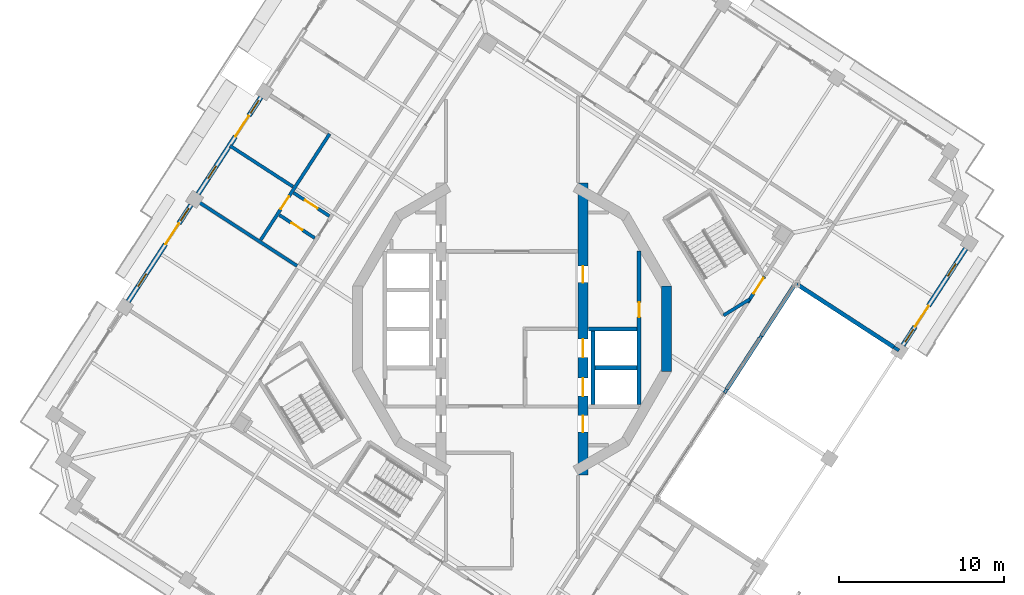
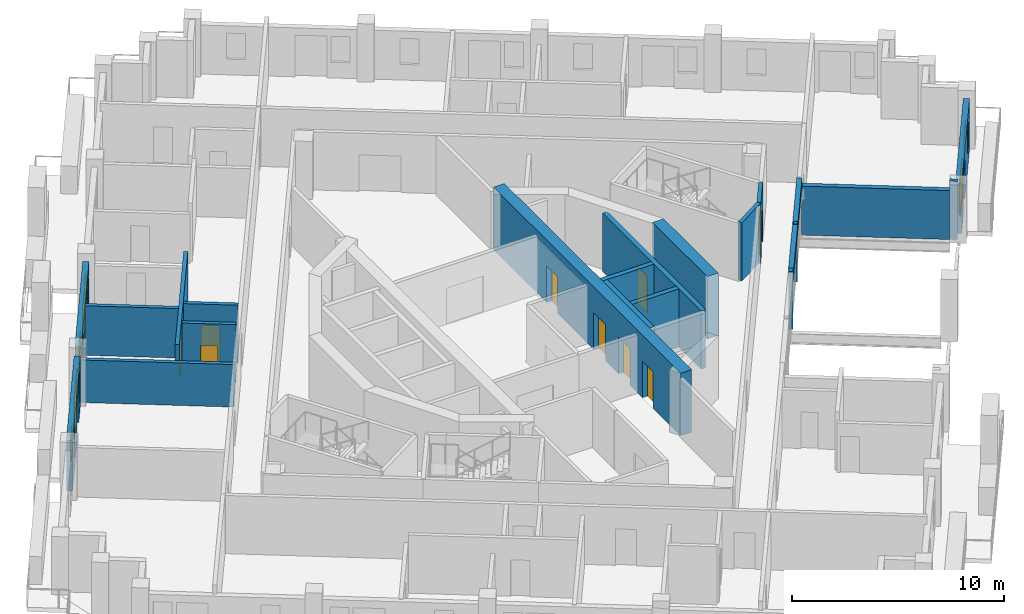
# One storey, part 8 of 17: 22 walls, 12 doors, 6 windows, 18 openings.
"""IFC4 building model written with IfcOpenShell, lengths in metres."""

from ifc_helpers import new_model, si_unit, direction, frame, frame_2d, origin, place, context, subcontext, project, spatial, rectangle, extrude, material, layer, layer_set, type_object, element, fill, save


model = new_model("IFC4")

# Units and contexts
model_context = context("Model", 3, precision=1e-05, world=origin(), true_north=direction((0.0, 1.0)))
body_context = subcontext(model_context, "Body", "Model", "MODEL_VIEW")
ifc_project = project(units=[si_unit("LENGTHUNIT", "METRE"), si_unit("AREAUNIT", "SQUARE_METRE"), si_unit("VOLUMEUNIT", "CUBIC_METRE"), si_unit("PLANEANGLEUNIT", "RADIAN"), si_unit("MASSUNIT", "GRAM", prefix="KILO")], contexts=[model_context])

# Site, building, storey
site_placement = place(None, origin())
site = spatial("IfcSite", under=ifc_project, at=site_placement, CompositionType="ELEMENT")
building_placement = place(site_placement, origin())
building = spatial("IfcBuilding", under=site, at=building_placement, Name="Cantera Rosa Tower", CompositionType="ELEMENT")
storey_placement = place(building_placement, frame((0.0, 0.0, 268.5)))
storey = spatial("IfcBuildingStorey", under=building, at=storey_placement, Name="L60", CompositionType="ELEMENT", Elevation=268.5)

# Walls
ifc_material_1 = material(Name="Gypsum board partition")
ifc_layer_1 = layer(ifc_material_1, 0.199951171875)
ifc_layer_set_1 = layer_set([ifc_layer_1], Name="CORRIDOR WALL 200 H3350")
wall_type_1 = type_object("IfcWallType", Name="CORRIDOR WALL 200 H3350", PredefinedType="PARTITIONING", material=ifc_layer_set_1)
wall_1_placement = place(storey_placement, frame((12.8642578125, -3.876220703125, 0.0), z_axis=(0.0, 0.0, 1.0), x_axis=(0.544605442853, 0.838692381994, 0.0)))
element("IfcWall", 1, at=wall_1_placement, inside=storey, type_object=wall_type_1, Name="CORRIDOR WALL L60-067", PredefinedType="PARTITIONING", context=body_context, shape_type="SweptSolid", body=[
    extrude(rectangle(XDim=0.26904296875, YDim=0.199951171875, at=frame_2d((0.134521484375, 0.0))), origin(), (0.0, 0.0, 1.0), 3.35009765625),
])
wall_2_placement = place(storey_placement, frame((15.00341796875, -0.582275390625, 0.0), z_axis=(0.0, 0.0, 1.0), x_axis=(0.544191105099, 0.838961287028, 0.0)))
element("IfcWall", 2, at=wall_2_placement, inside=storey, type_object=wall_type_1, Name="CORRIDOR WALL L60-068", PredefinedType="PARTITIONING", context=body_context, shape_type="SweptSolid", body=[
    extrude(rectangle(XDim=0.19384765625, YDim=0.199951171875, at=frame_2d((0.096923828125, 0.0))), origin(), (0.0, 0.0, 1.0), 3.35009765625),
])

# Wall, openings, windows, door
ifc_material_2 = material(Name="Hollow clay masonry with cantera stone cladding", Category="masonry")
ifc_layer_2 = layer(ifc_material_2, 0.300048828125)
ifc_layer_set_2 = layer_set([ifc_layer_2], Name="EW-LOGGIA 300 H2890")
wall_type_2 = type_object("IfcWallType", Name="EW-LOGGIA 300 H2890", PredefinedType="SOLIDWALL", material=ifc_layer_set_2)
wall_3_placement = place(storey_placement, frame((-15.2080078125, 14.03759765625, 0.0), z_axis=(0.0, 0.0, 1.0), x_axis=(-0.544651451949, -0.838662504164, 0.0)))
wall_3 = element("IfcWall", 3, at=wall_3_placement, inside=storey, type_object=wall_type_2, Name="EN-L60-W09", PredefinedType="SOLIDWALL", context=body_context, shape_type="SweptSolid", body=[
    extrude(rectangle(XDim=6.980224609375, YDim=0.300048828125, at=frame_2d((3.490234375, 0.0))), origin(), (0.0, 0.0, 1.0), 2.889892578125),
])
opening_1_placement = place(wall_3_placement, frame((0.2451171875, 0.0, 0.89990234375)))
opening_1 = element("IfcOpeningElement", 4, at=opening_1_placement, cuts=wall_3, Name="Opening L60-W19", PredefinedType="OPENING", context=body_context, shape_type="SweptSolid", body=[
    extrude(rectangle(XDim=0.89990234375, YDim=1.5, at=frame_2d((0.449951171875, 0.75))), frame((0.0, 0.159912109375, 0.0), z_axis=(0.0, -1.0, 0.0), x_axis=(1.0, 0.0, 0.0)), (0.0, 0.0, 1.0), 0.320068359375),
])
opening_2_placement = place(wall_3_placement, frame((1.344970703125, 0.0, 0.0)))
opening_2 = element("IfcOpeningElement", 5, at=opening_2_placement, cuts=wall_3, Name="Opening L60-TD20", PredefinedType="OPENING", context=body_context, shape_type="SweptSolid", body=[
    extrude(rectangle(XDim=1.5, YDim=2.39990234375, at=frame_2d((0.75, 1.199951171875))), frame((0.0, 0.159912109375, 0.0), z_axis=(0.0, -1.0, 0.0), x_axis=(1.0, 0.0, 0.0)), (0.0, 0.0, 1.0), 0.320068359375),
])
opening_3_placement = place(wall_3_placement, frame((4.985107421875, 0.0, 0.89990234375)))
opening_3 = element("IfcOpeningElement", 6, at=opening_3_placement, cuts=wall_3, Name="Opening L60-W21", PredefinedType="OPENING", context=body_context, shape_type="SweptSolid", body=[
    extrude(rectangle(XDim=0.89990234375, YDim=1.5, at=frame_2d((0.449951171875, 0.75))), frame((0.0, 0.159912109375, 0.0), z_axis=(0.0, -1.0, 0.0), x_axis=(1.0, 0.0, 0.0)), (0.0, 0.0, 1.0), 0.320068359375),
])
ifc_material_3 = material(Name="Aluminium frame with clear glass", Category="aluminium")
window_type = type_object("IfcWindowType", Name="Residential window 900x1500", PartitioningType="SINGLE_PANEL", PredefinedType="WINDOW", material=ifc_material_3)
window_1_placement = place(opening_1_placement, origin())
window_1 = element("IfcWindow", 7, at=window_1_placement, inside=storey, type_object=window_type, Name="WINDOW L60-W19", OverallHeight=1.5, OverallWidth=0.89990234375, PartitioningType="SINGLE_PANEL", PredefinedType="WINDOW", context=body_context, shape_type="SweptSolid", body=[
    extrude(rectangle(XDim=0.89990234375, YDim=1.5, at=frame_2d((0.449951171875, 0.75))), frame((0.0, 0.030029296875, 0.0), z_axis=(0.0, -1.0, 0.0), x_axis=(1.0, 0.0, 0.0)), (0.0, 0.0, 1.0), 0.06005859375),
])
fill(opening_1, window_1)
window_2_placement = place(opening_3_placement, origin())
window_2 = element("IfcWindow", 8, at=window_2_placement, inside=storey, type_object=window_type, Name="WINDOW L60-W21", OverallHeight=1.5, OverallWidth=0.89990234375, PartitioningType="SINGLE_PANEL", PredefinedType="WINDOW", context=body_context, shape_type="SweptSolid", body=[
    extrude(rectangle(XDim=0.89990234375, YDim=1.5, at=frame_2d((0.449951171875, 0.75))), frame((0.0, 0.030029296875, 0.0), z_axis=(0.0, -1.0, 0.0), x_axis=(1.0, 0.0, 0.0)), (0.0, 0.0, 1.0), 0.06005859375),
])
fill(opening_3, window_2)
ifc_material_4 = material(Name="Aluminium frame with clear glass", Category="aluminium")
door_type_1 = type_object("IfcDoorType", Name="TD-R 1500x2400", OperationType="NOTDEFINED", PredefinedType="DOOR", material=ifc_material_4)
door_1_placement = place(opening_2_placement, origin())
door_1 = element("IfcDoor", 9, at=door_1_placement, inside=storey, type_object=door_type_1, Name="LOGGIA DOOR L60-TD20", OperationType="SLIDING_TO_LEFT", OverallHeight=2.39990234375, OverallWidth=1.5, PredefinedType="DOOR", context=body_context, shape_type="SweptSolid", body=[
    extrude(rectangle(XDim=1.5, YDim=2.39990234375, at=frame_2d((0.75, 1.199951171875))), frame((0.0, 0.02490234375, 0.0), z_axis=(0.0, -1.0, 0.0), x_axis=(1.0, 0.0, 0.0)), (0.0, 0.0, 1.0), 0.050048828125),
])
fill(opening_2, door_1)

wall_4_placement = place(storey_placement, frame((-19.4453125, 7.5126953125, 0.0), z_axis=(0.0, 0.0, 1.0), x_axis=(-0.544667428764, -0.838652128146, 0.0)))
wall_4 = element("IfcWall", 10, at=wall_4_placement, inside=storey, type_object=wall_type_2, Name="EN-L60-W10", PredefinedType="SOLIDWALL", context=body_context, shape_type="SweptSolid", body=[
    extrude(rectangle(XDim=6.97998046875, YDim=0.300048828125, at=frame_2d((3.489990234375, 0.0))), origin(), (0.0, 0.0, 1.0), 2.889892578125),
])
opening_4_placement = place(wall_4_placement, frame((0.2451171875, 0.0, 0.89990234375)))
opening_4 = element("IfcOpeningElement", 11, at=opening_4_placement, cuts=wall_4, Name="Opening L60-W22", PredefinedType="OPENING", context=body_context, shape_type="SweptSolid", body=[
    extrude(rectangle(XDim=0.89990234375, YDim=1.5, at=frame_2d((0.449951171875, 0.75))), frame((0.0, 0.159912109375, 0.0), z_axis=(0.0, -1.0, 0.0), x_axis=(1.0, 0.0, 0.0)), (0.0, 0.0, 1.0), 0.320068359375),
])
opening_5_placement = place(wall_4_placement, frame((1.344970703125, 0.0, 0.0)))
opening_5 = element("IfcOpeningElement", 12, at=opening_5_placement, cuts=wall_4, Name="Opening L60-TD23", PredefinedType="OPENING", context=body_context, shape_type="SweptSolid", body=[
    extrude(rectangle(XDim=1.5, YDim=2.39990234375, at=frame_2d((0.75, 1.199951171875))), frame((0.0, 0.159912109375, 0.0), z_axis=(0.0, -1.0, 0.0), x_axis=(1.0, 0.0, 0.0)), (0.0, 0.0, 1.0), 0.320068359375),
])
opening_6_placement = place(wall_4_placement, frame((4.985107421875, 0.0, 0.89990234375)))
opening_6 = element("IfcOpeningElement", 13, at=opening_6_placement, cuts=wall_4, Name="Opening L60-W24", PredefinedType="OPENING", context=body_context, shape_type="SweptSolid", body=[
    extrude(rectangle(XDim=0.89990234375, YDim=1.5, at=frame_2d((0.449951171875, 0.75))), frame((0.0, 0.159912109375, 0.0), z_axis=(0.0, -1.0, 0.0), x_axis=(1.0, 0.0, 0.0)), (0.0, 0.0, 1.0), 0.320068359375),
])
window_3_placement = place(opening_4_placement, origin())
window_3 = element("IfcWindow", 14, at=window_3_placement, inside=storey, type_object=window_type, Name="WINDOW L60-W22", OverallHeight=1.5, OverallWidth=0.89990234375, PartitioningType="SINGLE_PANEL", PredefinedType="WINDOW", context=body_context, shape_type="SweptSolid", body=[
    extrude(rectangle(XDim=0.89990234375, YDim=1.5, at=frame_2d((0.449951171875, 0.75))), frame((0.0, 0.030029296875, 0.0), z_axis=(0.0, -1.0, 0.0), x_axis=(1.0, 0.0, 0.0)), (0.0, 0.0, 1.0), 0.06005859375),
])
fill(opening_4, window_3)
window_4_placement = place(opening_6_placement, origin())
window_4 = element("IfcWindow", 15, at=window_4_placement, inside=storey, type_object=window_type, Name="WINDOW L60-W24", OverallHeight=1.5, OverallWidth=0.89990234375, PartitioningType="SINGLE_PANEL", PredefinedType="WINDOW", context=body_context, shape_type="SweptSolid", body=[
    extrude(rectangle(XDim=0.89990234375, YDim=1.5, at=frame_2d((0.449951171875, 0.75))), frame((0.0, 0.030029296875, 0.0), z_axis=(0.0, -1.0, 0.0), x_axis=(1.0, 0.0, 0.0)), (0.0, 0.0, 1.0), 0.06005859375),
])
fill(opening_6, window_4)
door_2_placement = place(opening_5_placement, origin())
door_2 = element("IfcDoor", 16, at=door_2_placement, inside=storey, type_object=door_type_1, Name="LOGGIA DOOR L60-TD23", OperationType="SLIDING_TO_LEFT", OverallHeight=2.39990234375, OverallWidth=1.5, PredefinedType="DOOR", context=body_context, shape_type="SweptSolid", body=[
    extrude(rectangle(XDim=1.5, YDim=2.39990234375, at=frame_2d((0.75, 1.199951171875))), frame((0.0, 0.02490234375, 0.0), z_axis=(0.0, -1.0, 0.0), x_axis=(1.0, 0.0, 0.0)), (0.0, 0.0, 1.0), 0.050048828125),
])
fill(opening_5, door_2)

wall_5_placement = place(storey_placement, frame((23.6826171875, -0.98779296875, 0.0), z_axis=(0.0, 0.0, 1.0), x_axis=(0.544667428764, 0.838652128146, 0.0)))
wall_5 = element("IfcWall", 17, at=wall_5_placement, inside=storey, type_object=wall_type_2, Name="EN-L60-W24", PredefinedType="SOLIDWALL", context=body_context, shape_type="SweptSolid", body=[
    extrude(rectangle(XDim=6.97998046875, YDim=0.300048828125, at=frame_2d((3.489990234375, 0.0))), origin(), (0.0, 0.0, 1.0), 2.889892578125),
])
opening_7_placement = place(wall_5_placement, frame((0.2451171875, 0.0, 0.89990234375)))
opening_7 = element("IfcOpeningElement", 18, at=opening_7_placement, cuts=wall_5, Name="Opening L60-W46", PredefinedType="OPENING", context=body_context, shape_type="SweptSolid", body=[
    extrude(rectangle(XDim=0.89990234375, YDim=1.5, at=frame_2d((0.449951171875, 0.75))), frame((0.0, 0.159912109375, 0.0), z_axis=(0.0, -1.0, 0.0), x_axis=(1.0, 0.0, 0.0)), (0.0, 0.0, 1.0), 0.320068359375),
])
opening_8_placement = place(wall_5_placement, frame((1.344970703125, 0.0, 0.0)))
opening_8 = element("IfcOpeningElement", 19, at=opening_8_placement, cuts=wall_5, Name="Opening L60-TD47", PredefinedType="OPENING", context=body_context, shape_type="SweptSolid", body=[
    extrude(rectangle(XDim=1.5, YDim=2.39990234375, at=frame_2d((0.75, 1.199951171875))), frame((0.0, 0.159912109375, 0.0), z_axis=(0.0, -1.0, 0.0), x_axis=(1.0, 0.0, 0.0)), (0.0, 0.0, 1.0), 0.320068359375),
])
opening_9_placement = place(wall_5_placement, frame((4.985107421875, 0.0, 0.89990234375)))
opening_9 = element("IfcOpeningElement", 20, at=opening_9_placement, cuts=wall_5, Name="Opening L60-W48", PredefinedType="OPENING", context=body_context, shape_type="SweptSolid", body=[
    extrude(rectangle(XDim=0.89990234375, YDim=1.5, at=frame_2d((0.449951171875, 0.75))), frame((0.0, 0.159912109375, 0.0), z_axis=(0.0, -1.0, 0.0), x_axis=(1.0, 0.0, 0.0)), (0.0, 0.0, 1.0), 0.320068359375),
])
window_5_placement = place(opening_7_placement, origin())
window_5 = element("IfcWindow", 21, at=window_5_placement, inside=storey, type_object=window_type, Name="WINDOW L60-W46", OverallHeight=1.5, OverallWidth=0.89990234375, PartitioningType="SINGLE_PANEL", PredefinedType="WINDOW", context=body_context, shape_type="SweptSolid", body=[
    extrude(rectangle(XDim=0.89990234375, YDim=1.5, at=frame_2d((0.449951171875, 0.75))), frame((0.0, 0.030029296875, 0.0), z_axis=(0.0, -1.0, 0.0), x_axis=(1.0, 0.0, 0.0)), (0.0, 0.0, 1.0), 0.06005859375),
])
fill(opening_7, window_5)
window_6_placement = place(opening_9_placement, origin())
window_6 = element("IfcWindow", 22, at=window_6_placement, inside=storey, type_object=window_type, Name="WINDOW L60-W48", OverallHeight=1.5, OverallWidth=0.89990234375, PartitioningType="SINGLE_PANEL", PredefinedType="WINDOW", context=body_context, shape_type="SweptSolid", body=[
    extrude(rectangle(XDim=0.89990234375, YDim=1.5, at=frame_2d((0.449951171875, 0.75))), frame((0.0, 0.030029296875, 0.0), z_axis=(0.0, -1.0, 0.0), x_axis=(1.0, 0.0, 0.0)), (0.0, 0.0, 1.0), 0.06005859375),
])
fill(opening_9, window_6)
door_3_placement = place(opening_8_placement, origin())
door_3 = element("IfcDoor", 23, at=door_3_placement, inside=storey, type_object=door_type_1, Name="LOGGIA DOOR L60-TD47", OperationType="SLIDING_TO_LEFT", OverallHeight=2.39990234375, OverallWidth=1.5, PredefinedType="DOOR", context=body_context, shape_type="SweptSolid", body=[
    extrude(rectangle(XDim=1.5, YDim=2.39990234375, at=frame_2d((0.75, 1.199951171875))), frame((0.0, 0.02490234375, 0.0), z_axis=(0.0, -1.0, 0.0), x_axis=(1.0, 0.0, 0.0)), (0.0, 0.0, 1.0), 0.050048828125),
])
fill(opening_8, door_3)

# Walls
ifc_material_5 = material(Name="Concrete C40/50", Category="concrete")
ifc_layer_3 = layer(ifc_material_5, 0.25)
ifc_layer_set_3 = layer_set([ifc_layer_3], Name="EW-POCKET CHEEK 250 H2820")
wall_type_3 = type_object("IfcWallType", Name="EW-POCKET CHEEK 250 H2820", PredefinedType="SOLIDWALL", material=ifc_layer_set_3)
wall_6_placement = place(storey_placement, frame((23.12939453125, -1.10546875, 0.0), z_axis=(0.0, 0.0, 1.0), x_axis=(-0.838675417097, 0.544631567904, 0.0)))
element("IfcWall", 24, at=wall_6_placement, inside=storey, type_object=wall_type_3, Name="POCKET CHEEK B L60", PredefinedType="SOLIDWALL", context=body_context, shape_type="SweptSolid", body=[
    extrude(rectangle(XDim=7.000244140625, YDim=0.25, at=frame_2d((3.5, 0.0))), origin(), (0.0, 0.0, 1.0), 2.820068359375),
])
ifc_material_6 = material(Name="Hollow clay masonry with cantera stone cladding", Category="masonry")
ifc_layer_4 = layer(ifc_material_6, 0.25)
ifc_layer_set_4 = layer_set([ifc_layer_4], Name="EW-POCKET REAR 250")
wall_type_4 = type_object("IfcWallType", Name="EW-POCKET REAR 250", PredefinedType="SOLIDWALL", material=ifc_layer_set_4)
wall_7_placement = place(storey_placement, frame((13.0107421875, -3.650634765625, 2.657958984375), z_axis=(0.0, 0.0, 1.0), x_axis=(0.544650551538, 0.838663088916, 0.0)))
element("IfcWall", 25, at=wall_7_placement, inside=storey, type_object=wall_type_4, Name="POCKET SPANDREL L60-3", PredefinedType="SOLIDWALL", context=body_context, shape_type="SweptSolid", body=[
    extrude(rectangle(XDim=3.65869140625, YDim=0.25, at=frame_2d((1.829345703125, 0.0))), origin(), (0.0, 0.0, 1.0), 0.64208984375),
])
wall_8_placement = place(storey_placement, frame((15.10888671875, -0.419677734375, 2.657958984375), z_axis=(0.0, 0.0, 1.0), x_axis=(0.544660772807, 0.838656450858, 0.0)))
element("IfcWall", 26, at=wall_8_placement, inside=storey, type_object=wall_type_4, Name="POCKET SPANDREL L60-4", PredefinedType="SOLIDWALL", context=body_context, shape_type="SweptSolid", body=[
    extrude(rectangle(XDim=3.66796875, YDim=0.25, at=frame_2d((1.833984375, 0.0))), origin(), (0.0, 0.0, 1.0), 0.64208984375),
])
ifc_material_7 = material(Name="Gypsum board partition")
ifc_layer_5 = layer(ifc_material_7, 0.199951171875)
ifc_layer_set_5 = layer_set([ifc_layer_5], Name="PARTITION 200 H2850")
wall_type_5 = type_object("IfcWallType", Name="PARTITION 200 H2850", PredefinedType="PARTITIONING", material=ifc_layer_set_5)
wall_9_placement = place(storey_placement, frame((-17.083740234375, 11.09423828125, 0.0), z_axis=(0.0, 0.0, 1.0), x_axis=(0.8386764669, -0.544629951314, 0.0)))
element("IfcWall", 27, at=wall_9_placement, inside=storey, type_object=wall_type_5, Name="PARTITION L60-004", PredefinedType="PARTITIONING", context=body_context, shape_type="SweptSolid", body=[
    extrude(rectangle(XDim=4.550048828125, YDim=0.199951171875, at=frame_2d((2.27490234375, 0.0))), origin(), (0.0, 0.0, 1.0), 2.85009765625),
])

# Wall, opening, door
ifc_material_8 = material(Name="Gypsum board partition")
ifc_layer_6 = layer(ifc_material_8, 0.199951171875)
ifc_layer_set_6 = layer_set([ifc_layer_6], Name="PARTITION 200 H3350")
wall_type_6 = type_object("IfcWallType", Name="PARTITION 200 H3350", PredefinedType="PARTITIONING", material=ifc_layer_set_6)
wall_10_placement = place(storey_placement, frame((-15.220458984375, 5.388916015625, 0.0), z_axis=(0.0, 0.0, 1.0), x_axis=(0.544627570383, 0.838678013053, 0.0)))
wall_10 = element("IfcWall", 28, at=wall_10_placement, inside=storey, type_object=wall_type_6, Name="PARTITION L60-011", PredefinedType="PARTITIONING", context=body_context, shape_type="SweptSolid", body=[
    extrude(rectangle(XDim=7.66015625, YDim=0.199951171875, at=frame_2d((3.830078125, 0.0))), origin(), (0.0, 0.0, 1.0), 3.35009765625),
])
opening_10_placement = place(wall_10_placement, frame((2.22998046875, 0.0, 0.0)))
opening_10 = element("IfcOpeningElement", 29, at=opening_10_placement, cuts=wall_10, Name="Opening L60-028", PredefinedType="OPENING", context=body_context, shape_type="SweptSolid", body=[
    extrude(rectangle(XDim=0.89990234375, YDim=2.10009765625, at=frame_2d((0.449951171875, 1.050048828125))), frame((0.0, 0.10986328125, 0.0), z_axis=(0.0, -1.0, 0.0), x_axis=(1.0, 0.0, 0.0)), (0.0, 0.0, 1.0), 0.219970703125),
])
ifc_material_9 = material(Name="Timber door leaf", Category="wood")
door_type_2 = type_object("IfcDoorType", Name="ROOM DOOR 900x2100", OperationType="NOTDEFINED", PredefinedType="DOOR", material=ifc_material_9)
door_4_placement = place(opening_10_placement, origin())
door_4 = element("IfcDoor", 30, at=door_4_placement, inside=storey, type_object=door_type_2, Name="DOOR L60-028", OperationType="NOTDEFINED", OverallHeight=2.10009765625, OverallWidth=0.89990234375, PredefinedType="DOOR", context=body_context, shape_type="SweptSolid", body=[
    extrude(rectangle(XDim=0.89990234375, YDim=2.10009765625, at=frame_2d((0.449951171875, 1.050048828125))), frame((0.0, 0.02490234375, 0.0), z_axis=(0.0, -1.0, 0.0), x_axis=(1.0, 0.0, 0.0)), (0.0, 0.0, 1.0), 0.050048828125),
])
fill(opening_10, door_4)

wall_11_placement = place(storey_placement, frame((-14.095947265625, 6.900390625, 0.0), z_axis=(0.0, 0.0, 1.0), x_axis=(0.838665792468, -0.544646388536, 0.0)))
wall_11 = element("IfcWall", 31, at=wall_11_placement, inside=storey, type_object=wall_type_6, Name="PARTITION L60-014", PredefinedType="PARTITIONING", context=body_context, shape_type="SweptSolid", body=[
    extrude(rectangle(XDim=2.56005859375, YDim=0.199951171875, at=frame_2d((1.280029296875, 0.0))), origin(), (0.0, 0.0, 1.0), 3.35009765625),
])
opening_11_placement = place(wall_11_placement, frame((0.8798828125, 0.0, 0.0)))
opening_11 = element("IfcOpeningElement", 32, at=opening_11_placement, cuts=wall_11, Name="Opening L60-026", PredefinedType="OPENING", context=body_context, shape_type="SweptSolid", body=[
    extrude(rectangle(XDim=0.800048828125, YDim=2.10009765625, at=frame_2d((0.39990234375, 1.050048828125))), frame((0.0, 0.10986328125, 0.0), z_axis=(0.0, -1.0, 0.0), x_axis=(1.0, 0.0, 0.0)), (0.0, 0.0, 1.0), 0.219970703125),
])
ifc_material_10 = material(Name="Timber door leaf", Category="wood")
door_type_3 = type_object("IfcDoorType", Name="BATHROOM DOOR 800x2100", OperationType="NOTDEFINED", PredefinedType="DOOR", material=ifc_material_10)
door_5_placement = place(opening_11_placement, origin())
door_5 = element("IfcDoor", 33, at=door_5_placement, inside=storey, type_object=door_type_3, Name="DOOR L60-026", OperationType="NOTDEFINED", OverallHeight=2.10009765625, OverallWidth=0.800048828125, PredefinedType="DOOR", context=body_context, shape_type="SweptSolid", body=[
    extrude(rectangle(XDim=0.800048828125, YDim=2.10009765625, at=frame_2d((0.39990234375, 1.050048828125))), frame((0.0, 0.02490234375, 0.0), z_axis=(0.0, -1.0, 0.0), x_axis=(1.0, 0.0, 0.0)), (0.0, 0.0, 1.0), 0.050048828125),
])
fill(opening_11, door_5)

wall_12_placement = place(storey_placement, frame((-13.224365234375, 8.2421875, 0.0), z_axis=(0.0, 0.0, 1.0), x_axis=(0.838672733248, -0.544635700727, 0.0)))
wall_12 = element("IfcWall", 34, at=wall_12_placement, inside=storey, type_object=wall_type_6, Name="PARTITION L60-016", PredefinedType="PARTITIONING", context=body_context, shape_type="SweptSolid", body=[
    extrude(rectangle(XDim=2.579833984375, YDim=0.199951171875, at=frame_2d((1.2900390625, 0.0))), origin(), (0.0, 0.0, 1.0), 3.35009765625),
])
opening_12_placement = place(wall_12_placement, frame((0.830078125, 0.0, 0.0)))
opening_12 = element("IfcOpeningElement", 35, at=opening_12_placement, cuts=wall_12, Name="Opening L60-027", PredefinedType="OPENING", context=body_context, shape_type="SweptSolid", body=[
    extrude(rectangle(XDim=0.89990234375, YDim=2.10009765625, at=frame_2d((0.449951171875, 1.050048828125))), frame((0.0, 0.10986328125, 0.0), z_axis=(0.0, -1.0, 0.0), x_axis=(1.0, 0.0, 0.0)), (0.0, 0.0, 1.0), 0.219970703125),
])
door_6_placement = place(opening_12_placement, origin())
door_6 = element("IfcDoor", 36, at=door_6_placement, inside=storey, type_object=door_type_2, Name="DOOR L60-027", OperationType="NOTDEFINED", OverallHeight=2.10009765625, OverallWidth=0.89990234375, PredefinedType="DOOR", context=body_context, shape_type="SweptSolid", body=[
    extrude(rectangle(XDim=0.89990234375, YDim=2.10009765625, at=frame_2d((0.449951171875, 1.050048828125))), frame((0.0, 0.02490234375, 0.0), z_axis=(0.0, -1.0, 0.0), x_axis=(1.0, 0.0, 0.0)), (0.0, 0.0, 1.0), 0.050048828125),
])
fill(opening_12, door_6)

# Walls
wall_13_placement = place(storey_placement, frame((23.439697265625, -1.306884765625, 0.0), z_axis=(0.0, 0.0, 1.0), x_axis=(-0.838790236691, 0.544454716971, 0.0)))
element("IfcWall", 37, at=wall_13_placement, inside=storey, type_object=wall_type_6, Name="PARTITION L60-102", PredefinedType="PARTITIONING", context=body_context, shape_type="SweptSolid", body=[
    extrude(rectangle(XDim=0.369873046875, YDim=0.199951171875, at=frame_2d((0.18505859375, 0.0))), origin(), (0.0, 0.0, 1.0), 3.35009765625),
])
ifc_material_11 = material(Name="Gypsum board partition")
ifc_layer_7 = layer(ifc_material_11, 0.199951171875)
ifc_layer_set_7 = layer_set([ifc_layer_7], Name="PARTY WALL 200 H2450")
wall_type_7 = type_object("IfcWallType", Name="PARTY WALL 200 H2450", PredefinedType="PARTITIONING", material=ifc_layer_set_7)
wall_14_placement = place(storey_placement, frame((-13.021484375, 3.81787109375, 0.0), z_axis=(0.0, 0.0, 1.0), x_axis=(-0.838671355338, 0.544637822535, 0.0)))
element("IfcWall", 38, at=wall_14_placement, inside=storey, type_object=wall_type_7, Name="PARTY WALL L60-017", PredefinedType="PARTITIONING", context=body_context, shape_type="SweptSolid", body=[
    extrude(rectangle(XDim=7.369873046875, YDim=0.199951171875, at=frame_2d((3.68505859375, 0.0))), origin(), (0.0, 0.0, 1.0), 2.449951171875),
])
ifc_material_12 = material(Name="Concrete C50/60", Category="concrete")
ifc_layer_8 = layer(ifc_material_12, 0.60009765625)
ifc_layer_set_8 = layer_set([ifc_layer_8], Name="RC CORE WALL 600 C50/60")
wall_type_8 = type_object("IfcWallType", Name="RC CORE WALL 600 C50/60", PredefinedType="SHEAR", material=ifc_layer_set_8)
wall_15_placement = place(storey_placement, frame((9.359375, 2.588134765625, 0.0), z_axis=(0.0, 0.0, 1.0), x_axis=(0.0, -1.0, 0.0)))
element("IfcWall", 39, at=wall_15_placement, inside=storey, type_object=wall_type_8, Name="CW-E3 L60", PredefinedType="SHEAR", context=body_context, shape_type="SweptSolid", body=[
    extrude(rectangle(XDim=5.17626953125, YDim=0.60009765625, at=frame_2d((2.588134765625, 0.0))), origin(), (0.0, 0.0, 1.0), 3.60009765625),
])

# Wall, openings, doors
wall_16_placement = place(storey_placement, frame((4.300048828125, -8.84423828125, 0.0), z_axis=(0.0, 0.0, 1.0), x_axis=(0.0, 1.0, 0.0)))
wall_16 = element("IfcWall", 40, at=wall_16_placement, inside=storey, type_object=wall_type_8, Name="CW-E6 L60", PredefinedType="SHEAR", context=body_context, shape_type="SweptSolid", body=[
    extrude(rectangle(XDim=17.6884765625, YDim=0.60009765625, at=frame_2d((8.84423828125, 0.0))), origin(), (0.0, 0.0, 1.0), 3.60009765625),
])
opening_13_placement = place(wall_16_placement, frame((4.76904296875, 0.0, 0.0)))
opening_13 = element("IfcOpeningElement", 41, at=opening_13_placement, cuts=wall_16, Name="Opening LD-FF1-L60", PredefinedType="OPENING", context=body_context, shape_type="SweptSolid", body=[
    extrude(rectangle(XDim=1.10009765625, YDim=2.10009765625, at=frame_2d((0.550048828125, 1.050048828125))), frame((0.0, 0.31005859375, 0.0), z_axis=(0.0, -1.0, 0.0), x_axis=(1.0, 0.0, 0.0)), (0.0, 0.0, 1.0), 0.6201171875),
])
opening_14_placement = place(wall_16_placement, frame((7.119140625, 0.0, 0.0)))
opening_14 = element("IfcOpeningElement", 42, at=opening_14_placement, cuts=wall_16, Name="Opening LD-FF2-L60", PredefinedType="OPENING", context=body_context, shape_type="SweptSolid", body=[
    extrude(rectangle(XDim=1.10009765625, YDim=2.10009765625, at=frame_2d((0.550048828125, 1.050048828125))), frame((0.0, 0.31005859375, 0.0), z_axis=(0.0, -1.0, 0.0), x_axis=(1.0, 0.0, 0.0)), (0.0, 0.0, 1.0), 0.6201171875),
])
opening_15_placement = place(wall_16_placement, frame((2.5966796875, 0.0, 0.0)))
opening_15 = element("IfcOpeningElement", 43, at=opening_15_placement, cuts=wall_16, Name="Opening SD-L60-17", PredefinedType="OPENING", context=body_context, shape_type="SweptSolid", body=[
    extrude(rectangle(XDim=1.0, YDim=2.10009765625, at=frame_2d((0.5, 1.050048828125))), frame((0.0, 0.31005859375, 0.0), z_axis=(0.0, -1.0, 0.0), x_axis=(1.0, 0.0, 0.0)), (0.0, 0.0, 1.0), 0.6201171875),
])
opening_16_placement = place(wall_16_placement, frame((11.6494140625, 0.0, 0.0)))
opening_16 = element("IfcOpeningElement", 44, at=opening_16_placement, cuts=wall_16, Name="Opening SD-L60-18", PredefinedType="OPENING", context=body_context, shape_type="SweptSolid", body=[
    extrude(rectangle(XDim=1.0, YDim=2.10009765625, at=frame_2d((0.5, 1.050048828125))), frame((0.0, 0.31005859375, 0.0), z_axis=(0.0, -1.0, 0.0), x_axis=(1.0, 0.0, 0.0)), (0.0, 0.0, 1.0), 0.6201171875),
])
ifc_material_13 = material(Name="Steel S355J2 (EN 10025-2)", Category="steel")
door_type_4 = type_object("IfcDoorType", Name="LANDING DOOR 1100x2100", OperationType="NOTDEFINED", PredefinedType="DOOR", material=ifc_material_13)
door_7_placement = place(opening_13_placement, origin())
door_7 = element("IfcDoor", 45, at=door_7_placement, inside=storey, type_object=door_type_4, Name="LANDING DOOR FF1 L60", OperationType="SLIDING_TO_LEFT", OverallHeight=2.10009765625, OverallWidth=1.10009765625, PredefinedType="DOOR", context=body_context, shape_type="SweptSolid", body=[
    extrude(rectangle(XDim=1.10009765625, YDim=2.10009765625, at=frame_2d((0.550048828125, 1.050048828125))), frame((0.0, 0.02490234375, 0.0), z_axis=(0.0, -1.0, 0.0), x_axis=(1.0, 0.0, 0.0)), (0.0, 0.0, 1.0), 0.050048828125),
])
fill(opening_13, door_7)
door_8_placement = place(opening_14_placement, origin())
door_8 = element("IfcDoor", 46, at=door_8_placement, inside=storey, type_object=door_type_4, Name="LANDING DOOR FF2 L60", OperationType="SLIDING_TO_LEFT", OverallHeight=2.10009765625, OverallWidth=1.10009765625, PredefinedType="DOOR", context=body_context, shape_type="SweptSolid", body=[
    extrude(rectangle(XDim=1.10009765625, YDim=2.10009765625, at=frame_2d((0.550048828125, 1.050048828125))), frame((0.0, 0.02490234375, 0.0), z_axis=(0.0, -1.0, 0.0), x_axis=(1.0, 0.0, 0.0)), (0.0, 0.0, 1.0), 0.050048828125),
])
fill(opening_14, door_8)
ifc_material_14 = material(Name="Timber door leaf", Category="wood")
door_type_5 = type_object("IfcDoorType", Name="SERVICE DOOR 1000x2100", OperationType="NOTDEFINED", PredefinedType="DOOR", material=ifc_material_14)
door_9_placement = place(opening_15_placement, origin())
door_9 = element("IfcDoor", 47, at=door_9_placement, inside=storey, type_object=door_type_5, Name="DOOR L60-SD17", OperationType="NOTDEFINED", OverallHeight=2.10009765625, OverallWidth=1.0, PredefinedType="DOOR", context=body_context, shape_type="SweptSolid", body=[
    extrude(rectangle(XDim=1.0, YDim=2.10009765625, at=frame_2d((0.5, 1.050048828125))), frame((0.0, 0.02490234375, 0.0), z_axis=(0.0, -1.0, 0.0), x_axis=(1.0, 0.0, 0.0)), (0.0, 0.0, 1.0), 0.050048828125),
])
fill(opening_15, door_9)
door_10_placement = place(opening_16_placement, origin())
door_10 = element("IfcDoor", 48, at=door_10_placement, inside=storey, type_object=door_type_5, Name="DOOR L60-SD18", OperationType="NOTDEFINED", OverallHeight=2.10009765625, OverallWidth=1.0, PredefinedType="DOOR", context=body_context, shape_type="SweptSolid", body=[
    extrude(rectangle(XDim=1.0, YDim=2.10009765625, at=frame_2d((0.5, 1.050048828125))), frame((0.0, 0.02490234375, 0.0), z_axis=(0.0, -1.0, 0.0), x_axis=(1.0, 0.0, 0.0)), (0.0, 0.0, 1.0), 0.050048828125),
])
fill(opening_16, door_10)

# Walls
ifc_material_15 = material(Name="Masonry blockwork", Category="masonry")
ifc_layer_9 = layer(ifc_material_15, 0.25)
ifc_layer_set_9 = layer_set([ifc_layer_9], Name="SHAFT WALL 250 H3350")
wall_type_9 = type_object("IfcWallType", Name="SHAFT WALL 250 H3350", PredefinedType="SOLIDWALL", material=ifc_layer_set_9)
wall_17_placement = place(storey_placement, frame((4.6298828125, 0.0, 0.0), z_axis=(0.0, 0.0, 1.0), x_axis=(1.0, 0.0, 0.0)))
element("IfcWall", 49, at=wall_17_placement, inside=storey, type_object=wall_type_9, Name="SHAFT WALL L60-073", PredefinedType="SOLIDWALL", context=body_context, shape_type="SweptSolid", body=[
    extrude(rectangle(XDim=2.945068359375, YDim=0.25, at=frame_2d((1.47265625, 0.0))), origin(), (0.0, 0.0, 1.0), 3.35009765625),
])
wall_18_placement = place(storey_placement, frame((4.89990234375, -0.125, 0.0), z_axis=(0.0, 0.0, 1.0), x_axis=(0.0, -1.0, 0.0)))
element("IfcWall", 50, at=wall_18_placement, inside=storey, type_object=wall_type_9, Name="SHAFT WALL L60-075", PredefinedType="SOLIDWALL", context=body_context, shape_type="SweptSolid", body=[
    extrude(rectangle(XDim=4.449951171875, YDim=0.25, at=frame_2d((2.22509765625, 0.0))), origin(), (0.0, 0.0, 1.0), 3.35009765625),
])

# Wall, opening, door
wall_19_placement = place(storey_placement, frame((7.699951171875, -4.580078125, 0.0), z_axis=(0.0, 0.0, 1.0), x_axis=(0.0, 1.0, 0.0)))
wall_19 = element("IfcWall", 51, at=wall_19_placement, inside=storey, type_object=wall_type_9, Name="SHAFT WALL L60-080", PredefinedType="SOLIDWALL", context=body_context, shape_type="SweptSolid", body=[
    extrude(rectangle(XDim=9.3017578125, YDim=0.25, at=frame_2d((4.65087890625, 0.0))), origin(), (0.0, 0.0, 1.0), 3.35009765625),
])
opening_17_placement = place(wall_19_placement, frame((5.2900390625, 0.0, 0.0)))
opening_17 = element("IfcOpeningElement", 52, at=opening_17_placement, cuts=wall_19, Name="Opening L60-050", PredefinedType="OPENING", context=body_context, shape_type="SweptSolid", body=[
    extrude(rectangle(XDim=0.89990234375, YDim=2.10009765625, at=frame_2d((0.449951171875, 1.050048828125))), frame((0.0, 0.135009765625, 0.0), z_axis=(0.0, -1.0, 0.0), x_axis=(1.0, 0.0, 0.0)), (0.0, 0.0, 1.0), 0.27001953125),
])
ifc_material_16 = material(Name="Timber door leaf", Category="wood")
door_type_6 = type_object("IfcDoorType", Name="SERVICE DOOR 900x2100", OperationType="NOTDEFINED", PredefinedType="DOOR", material=ifc_material_16)
door_11_placement = place(opening_17_placement, origin())
door_11 = element("IfcDoor", 53, at=door_11_placement, inside=storey, type_object=door_type_6, Name="RISER DOOR L60-050", OperationType="NOTDEFINED", OverallHeight=2.10009765625, OverallWidth=0.89990234375, PredefinedType="DOOR", context=body_context, shape_type="SweptSolid", body=[
    extrude(rectangle(XDim=0.89990234375, YDim=2.10009765625, at=frame_2d((0.449951171875, 1.050048828125))), frame((0.0, 0.02490234375, 0.0), z_axis=(0.0, -1.0, 0.0), x_axis=(1.0, 0.0, 0.0)), (0.0, 0.0, 1.0), 0.050048828125),
])
fill(opening_17, door_11)

# Walls
wall_20_placement = place(storey_placement, frame((7.574951171875, -2.35009765625, 0.0), z_axis=(0.0, 0.0, 1.0), x_axis=(-1.0, 0.0, 0.0)))
element("IfcWall", 54, at=wall_20_placement, inside=storey, type_object=wall_type_9, Name="SHAFT WALL L60-081", PredefinedType="SOLIDWALL", context=body_context, shape_type="SweptSolid", body=[
    extrude(rectangle(XDim=2.554931640625, YDim=0.25, at=frame_2d((1.27734375, 0.0))), origin(), (0.0, 0.0, 1.0), 3.35009765625),
])
ifc_material_17 = material(Name="Concrete C50/60", Category="concrete")
ifc_layer_10 = layer(ifc_material_17, 0.199951171875)
ifc_layer_set_10 = layer_set([ifc_layer_10], Name="STAIR WALL 200 H3350")
wall_type_10 = type_object("IfcWallType", Name="STAIR WALL 200 H3350", PredefinedType="SOLIDWALL", material=ifc_layer_set_10)
wall_21_placement = place(storey_placement, frame((12.811279296875, 0.818359375, 0.0), z_axis=(0.0, 0.0, 1.0), x_axis=(0.851125244186, 0.524962683158, 0.0)))
element("IfcWall", 55, at=wall_21_placement, inside=storey, type_object=wall_type_10, Name="STAIR WALL L60-092", PredefinedType="SOLIDWALL", context=body_context, shape_type="SweptSolid", body=[
    extrude(rectangle(XDim=1.872802734375, YDim=0.199951171875, at=frame_2d((0.9365234375, 0.0))), origin(), (0.0, 0.0, 1.0), 3.35009765625),
])

# Wall, opening, door
wall_22_placement = place(storey_placement, frame((14.268310546875, 1.5908203125, 0.0), z_axis=(0.0, 0.0, 1.0), x_axis=(0.544651565877, 0.838662430176, 0.0)))
wall_22 = element("IfcWall", 56, at=wall_22_placement, inside=storey, type_object=wall_type_10, Name="STAIR WALL L60-094", PredefinedType="SOLIDWALL", context=body_context, shape_type="SweptSolid", body=[
    extrude(rectangle(XDim=1.8857421875, YDim=0.199951171875, at=frame_2d((0.94287109375, 0.0))), origin(), (0.0, 0.0, 1.0), 3.35009765625),
])
opening_18_placement = place(wall_22_placement, frame((0.6689453125, 0.0, 0.0)))
opening_18 = element("IfcOpeningElement", 57, at=opening_18_placement, cuts=wall_22, Name="Opening L60-001", PredefinedType="OPENING", context=body_context, shape_type="SweptSolid", body=[
    extrude(rectangle(XDim=1.10009765625, YDim=2.10009765625, at=frame_2d((0.550048828125, 1.050048828125))), frame((0.0, 0.10986328125, 0.0), z_axis=(0.0, -1.0, 0.0), x_axis=(1.0, 0.0, 0.0)), (0.0, 0.0, 1.0), 0.219970703125),
])
ifc_material_18 = material(Name="Steel S355J2 (EN 10025-2)", Category="steel")
door_type_7 = type_object("IfcDoorType", Name="STAIR DOOR 1100x2100", OperationType="NOTDEFINED", PredefinedType="DOOR", material=ifc_material_18)
door_12_placement = place(opening_18_placement, origin())
door_12 = element("IfcDoor", 58, at=door_12_placement, inside=storey, type_object=door_type_7, Name="DOOR L60-001", OperationType="NOTDEFINED", OverallHeight=2.10009765625, OverallWidth=1.10009765625, PredefinedType="DOOR", context=body_context, shape_type="SweptSolid", body=[
    extrude(rectangle(XDim=1.10009765625, YDim=2.10009765625, at=frame_2d((0.550048828125, 1.050048828125))), frame((0.0, 0.02490234375, 0.0), z_axis=(0.0, -1.0, 0.0), x_axis=(1.0, 0.0, 0.0)), (0.0, 0.0, 1.0), 0.050048828125),
])
fill(opening_18, door_12)

save(model, "model.ifc")
